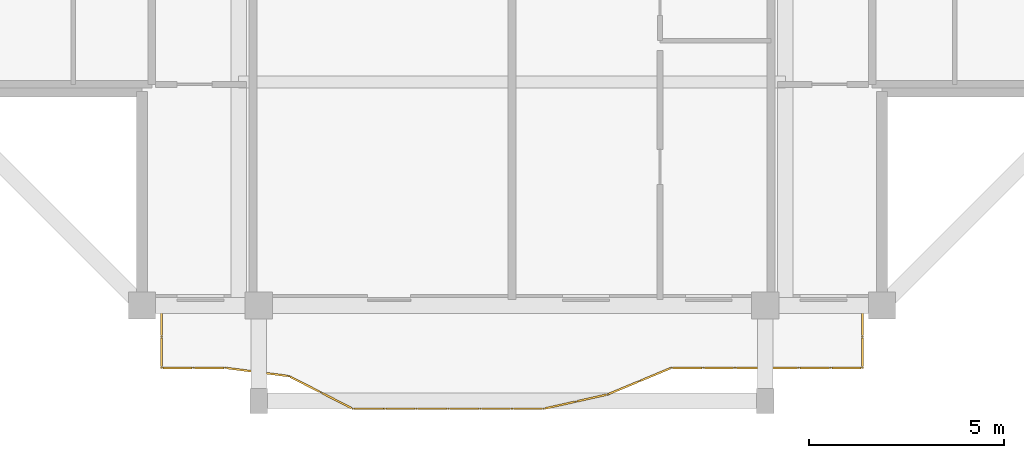
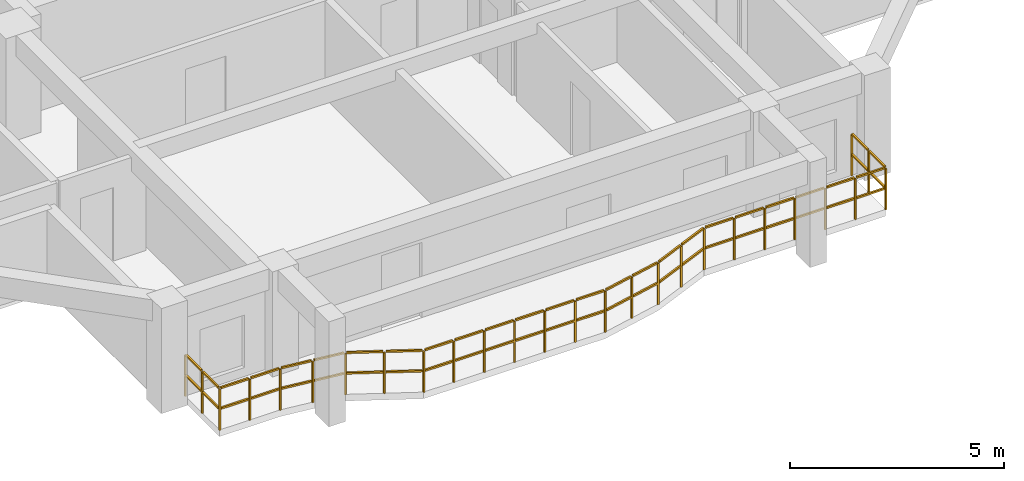
# One storey, part 8 of 12: 1 railing.
"""IFC4 building model written with IfcOpenShell, lengths in metres."""

from ifc_helpers import new_model, si_unit, direction, frame, origin, origin_2d, place, context, subcontext, project, spatial, rectangle, extrude, material, type_object, element, save


model = new_model("IFC4")

# Units and contexts
model_context = context("Model", 3, precision=1e-05, world=origin(), true_north=direction((0.0, 1.0)))
body_context = subcontext(model_context, "Body", "Model", "MODEL_VIEW")
ifc_project = project(units=[si_unit("LENGTHUNIT", "METRE"), si_unit("AREAUNIT", "SQUARE_METRE"), si_unit("VOLUMEUNIT", "CUBIC_METRE"), si_unit("PLANEANGLEUNIT", "RADIAN"), si_unit("MASSUNIT", "GRAM", prefix="KILO")], contexts=[model_context])

# Site, building, storey
site_placement = place(None, origin())
site = spatial("IfcSite", under=ifc_project, at=site_placement, CompositionType="ELEMENT")
building_placement = place(site_placement, origin())
building = spatial("IfcBuilding", under=site, at=building_placement, Name="Saelheon Loggia Tower", CompositionType="ELEMENT")
storey_placement = place(building_placement, frame((0.0, 0.0, 240.0)))
storey = spatial("IfcBuildingStorey", under=building, at=storey_placement, Name="L74", CompositionType="ELEMENT", Elevation=240.0)

# Railing
ifc_material = material(Name="Architectural Precast Concrete and Laminated Glass Guard", Category="concrete")
railing_type = type_object("IfcRailingType", Name="Guard_Loggia_RL_LOG", PredefinedType="BALUSTRADE", material=ifc_material)
railing_placement = place(storey_placement, frame((29.0, 6.0, 0.0)))
element("IfcRailing", 1, at=railing_placement, inside=storey, type_object=railing_type, Name="L74 South Loggia Balustrade", PredefinedType="BALUSTRADE", context=body_context, shape_type="SweptSolid", body=[
    extrude(rectangle(XDim=0.048095703125, YDim=0.048095703125, at=origin_2d()), frame((0.0, -0.033203125, 1.19580078125), z_axis=(0.0, -1.0, 0.0), x_axis=(1.0, 0.0, 0.0)), (0.0, 0.0, 1.0), 0.733642578125),
    extrude(rectangle(XDim=0.048095703125, YDim=0.048095703125, at=origin_2d()), frame((0.0, -0.033203125, 0.60986328125), z_axis=(0.0, -1.0, 0.0), x_axis=(1.0, 0.0, 0.0)), (0.0, 0.0, 1.0), 0.733642578125),
    extrude(rectangle(XDim=0.048095703125, YDim=0.048095703125, at=origin_2d()), frame((0.0, -0.833251953125, 1.19580078125), z_axis=(0.0, -1.0, 0.0), x_axis=(1.0, 0.0, 0.0)), (0.0, 0.0, 1.0), 0.733642578125),
    extrude(rectangle(XDim=0.048095703125, YDim=0.048095703125, at=origin_2d()), frame((0.0, -0.833251953125, 0.60986328125), z_axis=(0.0, -1.0, 0.0), x_axis=(1.0, 0.0, 0.0)), (0.0, 0.0, 1.0), 0.733642578125),
    extrude(rectangle(XDim=0.048095703125, YDim=0.048095703125, at=origin_2d()), frame((0.033203125, -1.60009765625, 1.19580078125), z_axis=(1.0, 0.0, 0.0), x_axis=(0.0, 1.0, 0.0)), (0.0, 0.0, 1.0), 0.751708984375),
    extrude(rectangle(XDim=0.048095703125, YDim=0.048095703125, at=origin_2d()), frame((0.033203125, -1.60009765625, 0.60986328125), z_axis=(1.0, 0.0, 0.0), x_axis=(0.0, 1.0, 0.0)), (0.0, 0.0, 1.0), 0.751708984375),
    extrude(rectangle(XDim=0.048095703125, YDim=0.048095703125, at=origin_2d()), frame((0.8515625, -1.60009765625, 1.19580078125), z_axis=(1.0, 0.0, 0.0), x_axis=(0.0, 1.0, 0.0)), (0.0, 0.0, 1.0), 0.751708984375),
    extrude(rectangle(XDim=0.048095703125, YDim=0.048095703125, at=origin_2d()), frame((0.8515625, -1.60009765625, 0.60986328125), z_axis=(1.0, 0.0, 0.0), x_axis=(0.0, 1.0, 0.0)), (0.0, 0.0, 1.0), 0.751708984375),
    extrude(rectangle(XDim=0.048095703125, YDim=0.048095703125, at=origin_2d()), frame((1.66943359375, -1.6044921875, 1.19580078125), z_axis=(0.991679434702, -0.128731887226, 0.0), x_axis=(0.128731887226, 0.991679434702, 0.0)), (0.0, 0.0, 1.0), 0.758544921875),
    extrude(rectangle(XDim=0.048095703125, YDim=0.048095703125, at=origin_2d()), frame((1.66943359375, -1.6044921875, 0.60986328125), z_axis=(0.991679434702, -0.128731887226, 0.0), x_axis=(0.128731887226, 0.991679434702, 0.0)), (0.0, 0.0, 1.0), 0.758544921875),
    extrude(rectangle(XDim=0.048095703125, YDim=0.048095703125, at=origin_2d()), frame((2.487548828125, -1.710693359375, 1.19580078125), z_axis=(0.991679434702, -0.128731887226, 0.0), x_axis=(0.128731887226, 0.991679434702, 0.0)), (0.0, 0.0, 1.0), 0.758544921875),
    extrude(rectangle(XDim=0.048095703125, YDim=0.048095703125, at=origin_2d()), frame((2.487548828125, -1.710693359375, 0.60986328125), z_axis=(0.991679434702, -0.128731887226, 0.0), x_axis=(0.128731887226, 0.991679434702, 0.0)), (0.0, 0.0, 1.0), 0.758544921875),
    extrude(rectangle(XDim=0.048095703125, YDim=0.048095703125, at=origin_2d()), frame((3.30224609375, -1.82763671875, 1.19580078125), z_axis=(0.890218103987, -0.455534551197, 0.0), x_axis=(0.455534551197, 0.890218103987, 0.0)), (0.0, 0.0, 1.0), 0.852783203125),
    extrude(rectangle(XDim=0.048095703125, YDim=0.048095703125, at=origin_2d()), frame((3.30224609375, -1.82763671875, 0.60986328125), z_axis=(0.890218103987, -0.455534551197, 0.0), x_axis=(0.455534551197, 0.890218103987, 0.0)), (0.0, 0.0, 1.0), 0.852783203125),
    extrude(rectangle(XDim=0.048095703125, YDim=0.048095703125, at=origin_2d()), frame((4.12060546875, -2.246337890625, 1.19580078125), z_axis=(0.890218103987, -0.455534551197, 0.0), x_axis=(0.455534551197, 0.890218103987, 0.0)), (0.0, 0.0, 1.0), 0.852783203125),
    extrude(rectangle(XDim=0.048095703125, YDim=0.048095703125, at=origin_2d()), frame((4.12060546875, -2.246337890625, 0.60986328125), z_axis=(0.890218103987, -0.455534551197, 0.0), x_axis=(0.455534551197, 0.890218103987, 0.0)), (0.0, 0.0, 1.0), 0.852783203125),
    extrude(rectangle(XDim=0.048095703125, YDim=0.048095703125, at=origin_2d()), frame((4.9423828125, -2.64990234375, 1.19580078125), z_axis=(1.0, 0.0, 0.0), x_axis=(0.0, 1.0, 0.0)), (0.0, 0.0, 1.0), 0.751708984375),
    extrude(rectangle(XDim=0.048095703125, YDim=0.048095703125, at=origin_2d()), frame((4.9423828125, -2.64990234375, 0.60986328125), z_axis=(1.0, 0.0, 0.0), x_axis=(0.0, 1.0, 0.0)), (0.0, 0.0, 1.0), 0.751708984375),
    extrude(rectangle(XDim=0.048095703125, YDim=0.048095703125, at=origin_2d()), frame((5.760498046875, -2.64990234375, 1.19580078125), z_axis=(1.0, 0.0, 0.0), x_axis=(0.0, 1.0, 0.0)), (0.0, 0.0, 1.0), 0.751708984375),
    extrude(rectangle(XDim=0.048095703125, YDim=0.048095703125, at=origin_2d()), frame((5.760498046875, -2.64990234375, 0.60986328125), z_axis=(1.0, 0.0, 0.0), x_axis=(0.0, 1.0, 0.0)), (0.0, 0.0, 1.0), 0.751708984375),
    extrude(rectangle(XDim=0.048095703125, YDim=0.048095703125, at=origin_2d()), frame((6.57861328125, -2.64990234375, 1.19580078125), z_axis=(1.0, 0.0, 0.0), x_axis=(0.0, 1.0, 0.0)), (0.0, 0.0, 1.0), 0.751708984375),
    extrude(rectangle(XDim=0.048095703125, YDim=0.048095703125, at=origin_2d()), frame((6.57861328125, -2.64990234375, 0.60986328125), z_axis=(1.0, 0.0, 0.0), x_axis=(0.0, 1.0, 0.0)), (0.0, 0.0, 1.0), 0.751708984375),
    extrude(rectangle(XDim=0.048095703125, YDim=0.048095703125, at=origin_2d()), frame((7.39697265625, -2.64990234375, 1.19580078125), z_axis=(1.0, 0.0, 0.0), x_axis=(0.0, 1.0, 0.0)), (0.0, 0.0, 1.0), 0.751708984375),
    extrude(rectangle(XDim=0.048095703125, YDim=0.048095703125, at=origin_2d()), frame((7.39697265625, -2.64990234375, 0.60986328125), z_axis=(1.0, 0.0, 0.0), x_axis=(0.0, 1.0, 0.0)), (0.0, 0.0, 1.0), 0.751708984375),
    extrude(rectangle(XDim=0.048095703125, YDim=0.048095703125, at=origin_2d()), frame((8.215087890625, -2.64990234375, 1.19580078125), z_axis=(1.0, 0.0, 0.0), x_axis=(0.0, 1.0, 0.0)), (0.0, 0.0, 1.0), 0.751708984375),
    extrude(rectangle(XDim=0.048095703125, YDim=0.048095703125, at=origin_2d()), frame((8.215087890625, -2.64990234375, 0.60986328125), z_axis=(1.0, 0.0, 0.0), x_axis=(0.0, 1.0, 0.0)), (0.0, 0.0, 1.0), 0.751708984375),
    extrude(rectangle(XDim=0.048095703125, YDim=0.048095703125, at=origin_2d()), frame((9.033203125, -2.64990234375, 1.19580078125), z_axis=(1.0, 0.0, 0.0), x_axis=(0.0, 1.0, 0.0)), (0.0, 0.0, 1.0), 0.751708984375),
    extrude(rectangle(XDim=0.048095703125, YDim=0.048095703125, at=origin_2d()), frame((9.033203125, -2.64990234375, 0.60986328125), z_axis=(1.0, 0.0, 0.0), x_axis=(0.0, 1.0, 0.0)), (0.0, 0.0, 1.0), 0.751708984375),
    extrude(rectangle(XDim=0.048095703125, YDim=0.048095703125, at=origin_2d()), frame((9.8505859375, -2.642578125, 1.19580078125), z_axis=(0.975801895731, 0.218656489242, 0.0), x_axis=(-0.218656489242, 0.975801895731, 0.0)), (0.0, 0.0, 1.0), 0.77197265625),
    extrude(rectangle(XDim=0.048095703125, YDim=0.048095703125, at=origin_2d()), frame((9.8505859375, -2.642578125, 0.60986328125), z_axis=(0.975801895731, 0.218656489242, 0.0), x_axis=(-0.218656489242, 0.975801895731, 0.0)), (0.0, 0.0, 1.0), 0.77197265625),
    extrude(rectangle(XDim=0.048095703125, YDim=0.048095703125, at=origin_2d()), frame((10.668701171875, -2.459228515625, 1.19580078125), z_axis=(0.975801895731, 0.218656489242, 0.0), x_axis=(-0.218656489242, 0.975801895731, 0.0)), (0.0, 0.0, 1.0), 0.77197265625),
    extrude(rectangle(XDim=0.048095703125, YDim=0.048095703125, at=origin_2d()), frame((10.668701171875, -2.459228515625, 0.60986328125), z_axis=(0.975801895731, 0.218656489242, 0.0), x_axis=(-0.218656489242, 0.975801895731, 0.0)), (0.0, 0.0, 1.0), 0.77197265625),
    extrude(rectangle(XDim=0.048095703125, YDim=0.048095703125, at=origin_2d()), frame((11.4853515625, -2.2705078125, 1.19580078125), z_axis=(0.922807832653, 0.385260566363, 0.0), x_axis=(-0.385260566363, 0.922807832653, 0.0)), (0.0, 0.0, 1.0), 0.820068359375),
    extrude(rectangle(XDim=0.048095703125, YDim=0.048095703125, at=origin_2d()), frame((11.4853515625, -2.2705078125, 0.60986328125), z_axis=(0.922807832653, 0.385260566363, 0.0), x_axis=(-0.385260566363, 0.922807832653, 0.0)), (0.0, 0.0, 1.0), 0.820068359375),
    extrude(rectangle(XDim=0.048095703125, YDim=0.048095703125, at=origin_2d()), frame((12.303466796875, -1.928955078125, 1.19580078125), z_axis=(0.922807832653, 0.385260566363, 0.0), x_axis=(-0.385260566363, 0.922807832653, 0.0)), (0.0, 0.0, 1.0), 0.820068359375),
    extrude(rectangle(XDim=0.048095703125, YDim=0.048095703125, at=origin_2d()), frame((12.303466796875, -1.928955078125, 0.60986328125), z_axis=(0.922807832653, 0.385260566363, 0.0), x_axis=(-0.385260566363, 0.922807832653, 0.0)), (0.0, 0.0, 1.0), 0.820068359375),
    extrude(rectangle(XDim=0.048095703125, YDim=0.048095703125, at=origin_2d()), frame((13.1240234375, -1.60009765625, 1.19580078125), z_axis=(1.0, 0.0, 0.0), x_axis=(0.0, 1.0, 0.0)), (0.0, 0.0, 1.0), 0.751708984375),
    extrude(rectangle(XDim=0.048095703125, YDim=0.048095703125, at=origin_2d()), frame((13.1240234375, -1.60009765625, 0.60986328125), z_axis=(1.0, 0.0, 0.0), x_axis=(0.0, 1.0, 0.0)), (0.0, 0.0, 1.0), 0.751708984375),
    extrude(rectangle(XDim=0.048095703125, YDim=0.048095703125, at=origin_2d()), frame((13.9423828125, -1.60009765625, 1.19580078125), z_axis=(1.0, 0.0, 0.0), x_axis=(0.0, 1.0, 0.0)), (0.0, 0.0, 1.0), 0.751708984375),
    extrude(rectangle(XDim=0.048095703125, YDim=0.048095703125, at=origin_2d()), frame((13.9423828125, -1.60009765625, 0.60986328125), z_axis=(1.0, 0.0, 0.0), x_axis=(0.0, 1.0, 0.0)), (0.0, 0.0, 1.0), 0.751708984375),
    extrude(rectangle(XDim=0.048095703125, YDim=0.048095703125, at=origin_2d()), frame((14.760498046875, -1.60009765625, 1.19580078125), z_axis=(1.0, 0.0, 0.0), x_axis=(0.0, 1.0, 0.0)), (0.0, 0.0, 1.0), 0.751708984375),
    extrude(rectangle(XDim=0.048095703125, YDim=0.048095703125, at=origin_2d()), frame((14.760498046875, -1.60009765625, 0.60986328125), z_axis=(1.0, 0.0, 0.0), x_axis=(0.0, 1.0, 0.0)), (0.0, 0.0, 1.0), 0.751708984375),
    extrude(rectangle(XDim=0.048095703125, YDim=0.048095703125, at=origin_2d()), frame((15.57861328125, -1.60009765625, 1.19580078125), z_axis=(1.0, 0.0, 0.0), x_axis=(0.0, 1.0, 0.0)), (0.0, 0.0, 1.0), 0.751708984375),
    extrude(rectangle(XDim=0.048095703125, YDim=0.048095703125, at=origin_2d()), frame((15.57861328125, -1.60009765625, 0.60986328125), z_axis=(1.0, 0.0, 0.0), x_axis=(0.0, 1.0, 0.0)), (0.0, 0.0, 1.0), 0.751708984375),
    extrude(rectangle(XDim=0.048095703125, YDim=0.048095703125, at=origin_2d()), frame((16.396728515625, -1.60009765625, 1.19580078125), z_axis=(1.0, 0.0, 0.0), x_axis=(0.0, 1.0, 0.0)), (0.0, 0.0, 1.0), 0.751708984375),
    extrude(rectangle(XDim=0.048095703125, YDim=0.048095703125, at=origin_2d()), frame((16.396728515625, -1.60009765625, 0.60986328125), z_axis=(1.0, 0.0, 0.0), x_axis=(0.0, 1.0, 0.0)), (0.0, 0.0, 1.0), 0.751708984375),
    extrude(rectangle(XDim=0.048095703125, YDim=0.048095703125, at=origin_2d()), frame((17.215087890625, -1.60009765625, 1.19580078125), z_axis=(1.0, 0.0, 0.0), x_axis=(0.0, 1.0, 0.0)), (0.0, 0.0, 1.0), 0.751708984375),
    extrude(rectangle(XDim=0.048095703125, YDim=0.048095703125, at=origin_2d()), frame((17.215087890625, -1.60009765625, 0.60986328125), z_axis=(1.0, 0.0, 0.0), x_axis=(0.0, 1.0, 0.0)), (0.0, 0.0, 1.0), 0.751708984375),
    extrude(rectangle(XDim=0.048095703125, YDim=0.048095703125, at=origin_2d()), frame((18.0, -1.56689453125, 1.19580078125), z_axis=(0.0, 1.0, 0.0), x_axis=(-1.0, 0.0, 0.0)), (0.0, 0.0, 1.0), 0.733642578125),
    extrude(rectangle(XDim=0.048095703125, YDim=0.048095703125, at=origin_2d()), frame((18.0, -1.56689453125, 0.60986328125), z_axis=(0.0, 1.0, 0.0), x_axis=(-1.0, 0.0, 0.0)), (0.0, 0.0, 1.0), 0.733642578125),
    extrude(rectangle(XDim=0.048095703125, YDim=0.048095703125, at=origin_2d()), frame((18.0, -0.766845703125, 1.19580078125), z_axis=(0.0, 1.0, 0.0), x_axis=(-1.0, 0.0, 0.0)), (0.0, 0.0, 1.0), 0.733642578125),
    extrude(rectangle(XDim=0.048095703125, YDim=0.048095703125, at=origin_2d()), frame((18.0, -0.766845703125, 0.60986328125), z_axis=(0.0, 1.0, 0.0), x_axis=(-1.0, 0.0, 0.0)), (0.0, 0.0, 1.0), 0.733642578125),
    extrude(rectangle(XDim=0.0419921875, YDim=0.0419921875, at=origin_2d()), origin(), (0.0, 0.0, 1.0), 1.16796875),
    extrude(rectangle(XDim=0.0419921875, YDim=0.0419921875, at=origin_2d()), frame((0.0, -0.800048828125, 0.0)), (0.0, 0.0, 1.0), 1.16796875),
    extrude(rectangle(XDim=0.0419921875, YDim=0.0419921875, at=origin_2d()), frame((0.0, -1.60009765625, 0.0)), (0.0, 0.0, 1.0), 1.16796875),
    extrude(rectangle(XDim=0.0419921875, YDim=0.0419921875, at=origin_2d()), frame((0.818359375, -1.60009765625, 0.0)), (0.0, 0.0, 1.0), 1.16796875),
    extrude(rectangle(XDim=0.0419921875, YDim=0.0419921875, at=origin_2d()), frame((1.636474609375, -1.60009765625, 0.0)), (0.0, 0.0, 1.0), 1.16796875),
    extrude(rectangle(XDim=0.0419921875, YDim=0.0419921875, at=origin_2d()), frame((2.45458984375, -1.706298828125, 0.0)), (0.0, 0.0, 1.0), 1.16796875),
    extrude(rectangle(XDim=0.0419921875, YDim=0.0419921875, at=origin_2d()), frame((3.272705078125, -1.8125, 0.0)), (0.0, 0.0, 1.0), 1.16796875),
    extrude(rectangle(XDim=0.0419921875, YDim=0.0419921875, at=origin_2d()), frame((4.0908203125, -2.231201171875, 0.0)), (0.0, 0.0, 1.0), 1.16796875),
    extrude(rectangle(XDim=0.0419921875, YDim=0.0419921875, at=origin_2d()), frame((4.9091796875, -2.64990234375, 0.0)), (0.0, 0.0, 1.0), 1.16796875),
    extrude(rectangle(XDim=0.0419921875, YDim=0.0419921875, at=origin_2d()), frame((5.727294921875, -2.64990234375, 0.0)), (0.0, 0.0, 1.0), 1.16796875),
    extrude(rectangle(XDim=0.0419921875, YDim=0.0419921875, at=origin_2d()), frame((6.54541015625, -2.64990234375, 0.0)), (0.0, 0.0, 1.0), 1.16796875),
    extrude(rectangle(XDim=0.0419921875, YDim=0.0419921875, at=origin_2d()), frame((7.36376953125, -2.64990234375, 0.0)), (0.0, 0.0, 1.0), 1.16796875),
    extrude(rectangle(XDim=0.0419921875, YDim=0.0419921875, at=origin_2d()), frame((8.181884765625, -2.64990234375, 0.0)), (0.0, 0.0, 1.0), 1.16796875),
    extrude(rectangle(XDim=0.0419921875, YDim=0.0419921875, at=origin_2d()), frame((9.0, -2.64990234375, 0.0)), (0.0, 0.0, 1.0), 1.16796875),
    extrude(rectangle(XDim=0.0419921875, YDim=0.0419921875, at=origin_2d()), frame((9.818115234375, -2.64990234375, 0.0)), (0.0, 0.0, 1.0), 1.16796875),
    extrude(rectangle(XDim=0.0419921875, YDim=0.0419921875, at=origin_2d()), frame((10.63623046875, -2.466552734375, 0.0)), (0.0, 0.0, 1.0), 1.16796875),
    extrude(rectangle(XDim=0.0419921875, YDim=0.0419921875, at=origin_2d()), frame((11.45458984375, -2.283203125, 0.0)), (0.0, 0.0, 1.0), 1.16796875),
    extrude(rectangle(XDim=0.0419921875, YDim=0.0419921875, at=origin_2d()), frame((12.272705078125, -1.941650390625, 0.0)), (0.0, 0.0, 1.0), 1.16796875),
    extrude(rectangle(XDim=0.0419921875, YDim=0.0419921875, at=origin_2d()), frame((13.0908203125, -1.60009765625, 0.0)), (0.0, 0.0, 1.0), 1.16796875),
    extrude(rectangle(XDim=0.0419921875, YDim=0.0419921875, at=origin_2d()), frame((13.9091796875, -1.60009765625, 0.0)), (0.0, 0.0, 1.0), 1.16796875),
    extrude(rectangle(XDim=0.0419921875, YDim=0.0419921875, at=origin_2d()), frame((14.727294921875, -1.60009765625, 0.0)), (0.0, 0.0, 1.0), 1.16796875),
    extrude(rectangle(XDim=0.0419921875, YDim=0.0419921875, at=origin_2d()), frame((15.54541015625, -1.60009765625, 0.0)), (0.0, 0.0, 1.0), 1.16796875),
    extrude(rectangle(XDim=0.0419921875, YDim=0.0419921875, at=origin_2d()), frame((16.363525390625, -1.60009765625, 0.0)), (0.0, 0.0, 1.0), 1.16796875),
    extrude(rectangle(XDim=0.0419921875, YDim=0.0419921875, at=origin_2d()), frame((17.181640625, -1.60009765625, 0.0)), (0.0, 0.0, 1.0), 1.16796875),
    extrude(rectangle(XDim=0.0419921875, YDim=0.0419921875, at=origin_2d()), frame((18.0, -1.60009765625, 0.0)), (0.0, 0.0, 1.0), 1.16796875),
    extrude(rectangle(XDim=0.0419921875, YDim=0.0419921875, at=origin_2d()), frame((18.0, -0.800048828125, 0.0)), (0.0, 0.0, 1.0), 1.16796875),
    extrude(rectangle(XDim=0.0419921875, YDim=0.0419921875, at=origin_2d()), frame((18.0, 0.0, 0.0)), (0.0, 0.0, 1.0), 1.16796875),
])

save(model, "model.ifc")
